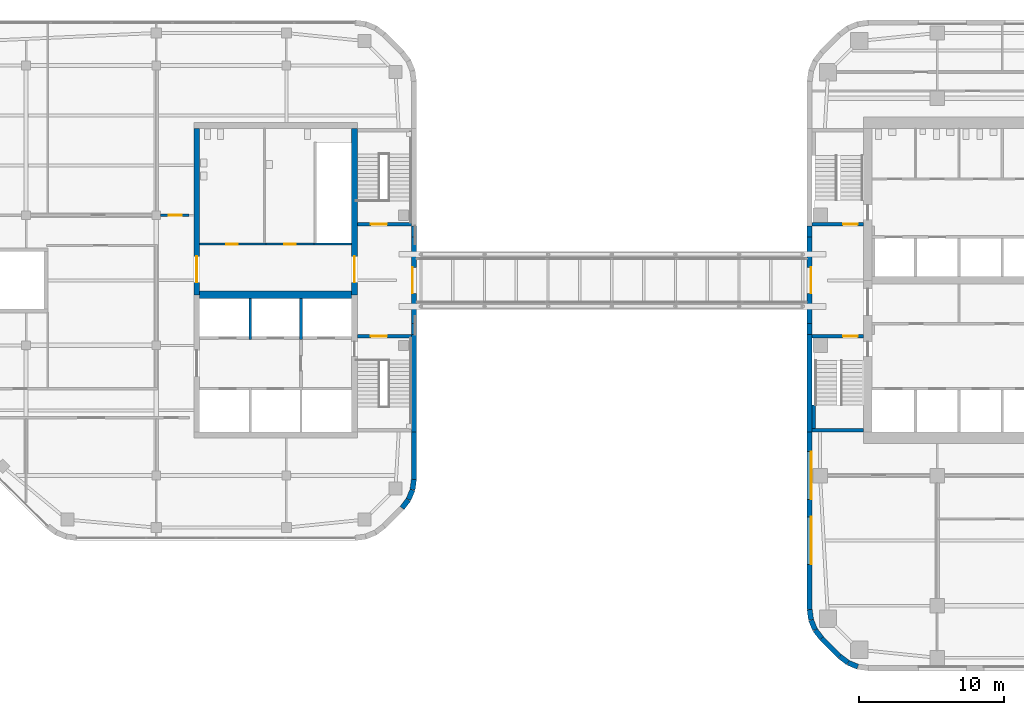
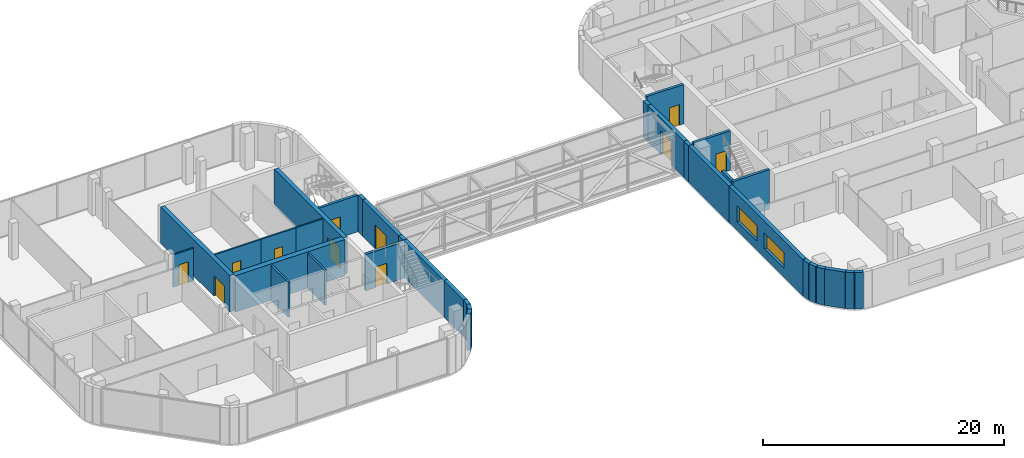
# One storey, part 12 of 21: 34 walls, 11 doors, 2 windows, 13 openings.
"""IFC4 building model written with IfcOpenShell, lengths in metres."""

from ifc_helpers import new_model, si_unit, direction, frame, frame_2d, origin, place, context, subcontext, project, spatial, rectangle, extrude, material, layer, layer_set, type_object, element, fill, save


model = new_model("IFC4")

# Units and contexts
model_context = context("Model", 3, precision=1e-05, world=origin(), true_north=direction((0.0, 1.0)))
body_context = subcontext(model_context, "Body", "Model", "MODEL_VIEW")
ifc_project = project(units=[si_unit("LENGTHUNIT", "METRE"), si_unit("AREAUNIT", "SQUARE_METRE"), si_unit("VOLUMEUNIT", "CUBIC_METRE"), si_unit("PLANEANGLEUNIT", "RADIAN"), si_unit("MASSUNIT", "GRAM", prefix="KILO")], contexts=[model_context])

# Site, building, storey
site_placement = place(None, origin())
site = spatial("IfcSite", under=ifc_project, at=site_placement, CompositionType="ELEMENT")
building_placement = place(site_placement, origin())
building = spatial("IfcBuilding", under=site, at=building_placement, Name="Cinnabar Reach Civic Tower", CompositionType="ELEMENT")
storey_placement = place(building_placement, frame((0.0, 0.0, 140.0)))
storey = spatial("IfcBuildingStorey", under=building, at=storey_placement, Name="L33", CompositionType="ELEMENT", Elevation=140.0)

# Walls
ifc_material_1 = material(Name="Facing brick with insulated backing", Category="masonry")
ifc_layer_1 = layer(ifc_material_1, 0.36)
ifc_layer_set_1 = layer_set([ifc_layer_1], Name="Brick corner wall")
wall_type_1 = type_object("IfcWallType", Name="Brick corner wall", PredefinedType="STANDARD", material=ifc_layer_set_1)
for number, where, z_axis, x_axis, name in (
    (1, (0.183, 8.7314, 0.0), (0.0, 0.0, 1.0), (0.13055608231, -0.99144092581, 0.0), "Brick corner wall"),
    (2, (0.2819, 8.0027, 0.0), (0.0, 0.0, 1.0), (0.382702709855, -0.923871547278, 0.0), "Brick corner wall"),
):
    element("IfcWall", number, at=place(storey_placement, frame(where, z_axis=z_axis, x_axis=x_axis)), inside=storey, type_object=wall_type_1, Name=name, PredefinedType="STANDARD", context=body_context, shape_type="SweptSolid", body=[
        extrude(rectangle(XDim=0.7131, YDim=0.36, at=frame_2d((0.3565, 0.0))), origin(), (0.0, 0.0, 1.0), 3.7),
    ])
for number, where, z_axis, x_axis, name in (
    (3, (0.566, 7.3245, 0.0), (0.0, 0.0, 1.0), (0.608802368033, -0.793321924995, 0.0), "Brick corner wall"),
    (4, (2.2587, 5.5002, 0.0), (0.0, 0.0, 1.0), (0.793321924995, -0.608802368033, 0.0), "Brick corner wall"),
):
    element("IfcWall", number, at=place(storey_placement, frame(where, z_axis=z_axis, x_axis=x_axis)), inside=storey, type_object=wall_type_1, Name=name, PredefinedType="STANDARD", context=body_context, shape_type="SweptSolid", body=[
        extrude(rectangle(XDim=0.7132, YDim=0.36, at=frame_2d((0.3566, 0.0))), origin(), (0.0, 0.0, 1.0), 3.7),
    ])
wall_1_placement = place(storey_placement, frame((2.8439, 5.0548, 0.0), z_axis=(0.0, 0.0, 1.0), x_axis=(0.923871547278, -0.382702709855, 0.0)))
element("IfcWall", 5, at=wall_1_placement, inside=storey, type_object=wall_type_1, Name="Brick corner wall", PredefinedType="STANDARD", context=body_context, shape_type="SweptSolid", body=[
    extrude(rectangle(XDim=0.7131, YDim=0.36, at=frame_2d((0.3565, 0.0))), origin(), (0.0, 0.0, 1.0), 3.7),
])
wall_2_placement = place(storey_placement, frame((-28.0002, 15.7587, 0.0), z_axis=(0.0, 0.0, 1.0), x_axis=(0.608802368033, 0.793321924995, 0.0)))
element("IfcWall", 6, at=wall_2_placement, inside=storey, type_object=wall_type_1, Name="Brick corner wall", PredefinedType="STANDARD", context=body_context, shape_type="SweptSolid", body=[
    extrude(rectangle(XDim=0.7132, YDim=0.36, at=frame_2d((0.3566, 0.0))), origin(), (0.0, 0.0, 1.0), 3.7),
])
for number, where, z_axis, x_axis, name in (
    (7, (-27.5548, 16.3439, 0.0), (0.0, 0.0, 1.0), (0.382702709855, 0.923871547278, 0.0), "Brick corner wall"),
    (8, (-27.2761, 17.0244, 0.0), (0.0, 0.0, 1.0), (0.13055608231, 0.99144092581, 0.0), "Brick corner wall"),
):
    element("IfcWall", number, at=place(storey_placement, frame(where, z_axis=z_axis, x_axis=x_axis)), inside=storey, type_object=wall_type_1, Name=name, PredefinedType="STANDARD", context=body_context, shape_type="SweptSolid", body=[
        extrude(rectangle(XDim=0.7131, YDim=0.36, at=frame_2d((0.3565, 0.0))), origin(), (0.0, 0.0, 1.0), 3.7),
    ])
ifc_layer_2 = layer(ifc_material_1, 0.36)
ifc_layer_set_2 = layer_set([ifc_layer_2], Name="Brick pier and spandrel wall")
wall_type_2 = type_object("IfcWallType", Name="Brick pier and spandrel wall", PredefinedType="STANDARD", material=ifc_layer_set_2)
wall_3_placement = place(storey_placement, frame((0.18, 35.25, 0.0), z_axis=(0.0, 0.0, 1.0), x_axis=(0.0, -1.0, 0.0)))
element("IfcWall", 9, at=wall_3_placement, inside=storey, type_object=wall_type_2, Name="Brick facade wall", PredefinedType="STANDARD", context=body_context, shape_type="SweptSolid", body=[
    extrude(rectangle(XDim=0.75, YDim=0.36, at=frame_2d((0.375, 0.0))), origin(), (0.0, 0.0, 1.0), 3.7),
])

# Wall, opening, door
wall_4_placement = place(storey_placement, frame((0.18, 34.5, 0.0), z_axis=(0.0, 0.0, 1.0), x_axis=(0.0, -1.0, 0.0)))
wall_4 = element("IfcWall", 10, at=wall_4_placement, inside=storey, type_object=wall_type_2, Name="Brick facade wall", PredefinedType="STANDARD", context=body_context, shape_type="SweptSolid", body=[
    extrude(rectangle(XDim=6.0, YDim=0.36, at=frame_2d((3.0, 0.0))), origin(), (0.0, 0.0, 1.0), 3.7),
])
opening_1_placement = place(wall_4_placement, frame((2.1, 0.0, 0.0)))
opening_1 = element("IfcOpeningElement", 11, at=opening_1_placement, cuts=wall_4, Name="Opening D7506", PredefinedType="OPENING", context=body_context, shape_type="SweptSolid", body=[
    extrude(rectangle(XDim=1.8, YDim=2.4, at=frame_2d((0.9, 1.2))), frame((0.0, 0.19, 0.0), z_axis=(0.0, -1.0, 0.0), x_axis=(1.0, 0.0, 0.0)), (0.0, 0.0, 1.0), 0.38),
])
ifc_material_2 = material(Name="Steel fire door with glazed vision panel", Category="steel")
door_type_1 = type_object("IfcDoorType", Name="Facade bridge landing fire door", OperationType="SINGLE_SWING_LEFT", PredefinedType="DOOR", material=ifc_material_2)
door_1_placement = place(opening_1_placement, frame((1.8, 0.0, 0.0), z_axis=(0.0, 0.0, 1.0), x_axis=(-1.0, 0.0, 0.0)))
door_1 = element("IfcDoor", 12, at=door_1_placement, inside=storey, type_object=door_type_1, Name="Bridge landing fire door", OperationType="DOUBLE_DOOR_SINGLE_SWING", OverallHeight=2.4, OverallWidth=1.8, PredefinedType="DOOR", context=body_context, shape_type="SweptSolid", body=[
    extrude(rectangle(XDim=1.8, YDim=2.4, at=frame_2d((0.9, 1.2))), frame((0.0, -0.07, 0.0), z_axis=(0.0, -1.0, 0.0), x_axis=(1.0, 0.0, 0.0)), (0.0, 0.0, 1.0), 0.05),
])
fill(opening_1, door_1)

# Walls
wall_5_placement = place(storey_placement, frame((0.18, 28.5, 0.0), z_axis=(0.0, 0.0, 1.0), x_axis=(0.0, -1.0, 0.0)))
element("IfcWall", 13, at=wall_5_placement, inside=storey, type_object=wall_type_2, Name="Brick facade wall", PredefinedType="STANDARD", context=body_context, shape_type="SweptSolid", body=[
    extrude(rectangle(XDim=0.75, YDim=0.36, at=frame_2d((0.375, 0.0))), origin(), (0.0, 0.0, 1.0), 3.7),
])
wall_6_placement = place(storey_placement, frame((0.18, 27.75, 0.0), z_axis=(0.0, 0.0, 1.0), x_axis=(0.0, -1.0, 0.0)))
element("IfcWall", 14, at=wall_6_placement, inside=storey, type_object=wall_type_2, Name="Brick facade wall", PredefinedType="STANDARD", context=body_context, shape_type="SweptSolid", body=[
    extrude(rectangle(XDim=6.75, YDim=0.36, at=frame_2d((3.375, 0.0))), origin(), (0.0, 0.0, 1.0), 3.7),
])

# Wall, openings, windows
wall_7_placement = place(storey_placement, frame((0.18, 21.0, 0.0), z_axis=(0.0, 0.0, 1.0), x_axis=(0.0, -1.0, 0.0)))
wall_7 = element("IfcWall", 15, at=wall_7_placement, inside=storey, type_object=wall_type_2, Name="Brick facade wall", PredefinedType="STANDARD", context=body_context, shape_type="SweptSolid", body=[
    extrude(rectangle(XDim=12.2574, YDim=0.36, at=frame_2d((6.1287, 0.0))), origin(), (0.0, 0.0, 1.0), 3.7),
])
opening_2_placement = place(wall_7_placement, frame((1.35, 0.0, 0.9)))
opening_2 = element("IfcOpeningElement", 16, at=opening_2_placement, cuts=wall_7, Name="Opening W1719", PredefinedType="OPENING", context=body_context, shape_type="SweptSolid", body=[
    extrude(rectangle(XDim=3.3, YDim=1.6, at=frame_2d((1.65, 0.8))), frame((0.0, 0.19, 0.0), z_axis=(0.0, -1.0, 0.0), x_axis=(1.0, 0.0, 0.0)), (0.0, 0.0, 1.0), 0.38),
])
opening_3_placement = place(wall_7_placement, frame((5.85, 0.0, 0.9)))
opening_3 = element("IfcOpeningElement", 17, at=opening_3_placement, cuts=wall_7, Name="Opening W1720", PredefinedType="OPENING", context=body_context, shape_type="SweptSolid", body=[
    extrude(rectangle(XDim=3.3, YDim=1.6, at=frame_2d((1.65, 0.8))), frame((0.0, 0.19, 0.0), z_axis=(0.0, -1.0, 0.0), x_axis=(1.0, 0.0, 0.0)), (0.0, 0.0, 1.0), 0.38),
])
ifc_material_3 = material(Name="Clear double glazing in aluminium frame", Category="aluminium")
window_type = type_object("IfcWindowType", Name="Deep-set window A", PartitioningType="SINGLE_PANEL", PredefinedType="WINDOW", material=ifc_material_3)
window_1_placement = place(opening_2_placement, origin())
window_1 = element("IfcWindow", 18, at=window_1_placement, inside=storey, type_object=window_type, Name="Window west face", OverallHeight=1.6, OverallWidth=3.3, PartitioningType="SINGLE_PANEL", PredefinedType="WINDOW", context=body_context, shape_type="SweptSolid", body=[
    extrude(rectangle(XDim=3.3, YDim=1.6, at=frame_2d((1.65, 0.8))), frame((0.0, 0.13, 0.0), z_axis=(0.0, -1.0, 0.0), x_axis=(1.0, 0.0, 0.0)), (0.0, 0.0, 1.0), 0.06),
])
fill(opening_2, window_1)
window_2_placement = place(opening_3_placement, origin())
window_2 = element("IfcWindow", 19, at=window_2_placement, inside=storey, type_object=window_type, Name="Window west face", OverallHeight=1.6, OverallWidth=3.3, PartitioningType="SINGLE_PANEL", PredefinedType="WINDOW", context=body_context, shape_type="SweptSolid", body=[
    extrude(rectangle(XDim=3.3, YDim=1.6, at=frame_2d((1.65, 0.8))), frame((0.0, 0.13, 0.0), z_axis=(0.0, -1.0, 0.0), x_axis=(1.0, 0.0, 0.0)), (0.0, 0.0, 1.0), 0.06),
])
fill(opening_3, window_2)

# Walls
wall_8_placement = place(storey_placement, frame((1.006, 6.7486, 0.0), z_axis=(0.0, 0.0, 1.0), x_axis=(0.707106781187, -0.707106781187, 0.0)))
element("IfcWall", 20, at=wall_8_placement, inside=storey, type_object=wall_type_2, Name="Brick facade wall", PredefinedType="STANDARD", context=body_context, shape_type="SweptSolid", body=[
    extrude(rectangle(XDim=1.7573, YDim=0.36, at=frame_2d((0.8787, 0.0))), origin(), (0.0, 0.0, 1.0), 3.7),
])
wall_9_placement = place(storey_placement, frame((-27.18, 17.7426, 0.0), z_axis=(0.0, 0.0, 1.0), x_axis=(0.0, 1.0, 0.0)))
element("IfcWall", 21, at=wall_9_placement, inside=storey, type_object=wall_type_2, Name="Brick facade wall", PredefinedType="STANDARD", context=body_context, shape_type="SweptSolid", body=[
    extrude(rectangle(XDim=3.2574, YDim=0.36, at=frame_2d((1.6287, 0.0))), origin(), (0.0, 0.0, 1.0), 3.7),
])
wall_10_placement = place(storey_placement, frame((-27.18, 21.0, 0.0), z_axis=(0.0, 0.0, 1.0), x_axis=(0.0, 1.0, 0.0)))
element("IfcWall", 22, at=wall_10_placement, inside=storey, type_object=wall_type_2, Name="Brick facade wall", PredefinedType="STANDARD", context=body_context, shape_type="SweptSolid", body=[
    extrude(rectangle(XDim=6.75, YDim=0.36, at=frame_2d((3.375, 0.0))), origin(), (0.0, 0.0, 1.0), 3.7),
])
wall_11_placement = place(storey_placement, frame((-27.18, 27.75, 0.0), z_axis=(0.0, 0.0, 1.0), x_axis=(0.0, 1.0, 0.0)))
element("IfcWall", 23, at=wall_11_placement, inside=storey, type_object=wall_type_2, Name="Brick facade wall", PredefinedType="STANDARD", context=body_context, shape_type="SweptSolid", body=[
    extrude(rectangle(XDim=0.75, YDim=0.36, at=frame_2d((0.375, 0.0))), origin(), (0.0, 0.0, 1.0), 3.7),
])

# Wall, opening, door
wall_12_placement = place(storey_placement, frame((-27.18, 28.5, 0.0), z_axis=(0.0, 0.0, 1.0), x_axis=(0.0, 1.0, 0.0)))
wall_12 = element("IfcWall", 24, at=wall_12_placement, inside=storey, type_object=wall_type_2, Name="Brick facade wall", PredefinedType="STANDARD", context=body_context, shape_type="SweptSolid", body=[
    extrude(rectangle(XDim=6.0, YDim=0.36, at=frame_2d((3.0, 0.0))), origin(), (0.0, 0.0, 1.0), 3.7),
])
opening_4_placement = place(wall_12_placement, frame((2.1, 0.0, 0.0)))
opening_4 = element("IfcOpeningElement", 25, at=opening_4_placement, cuts=wall_12, Name="Opening D7520", PredefinedType="OPENING", context=body_context, shape_type="SweptSolid", body=[
    extrude(rectangle(XDim=1.8, YDim=2.4, at=frame_2d((0.9, 1.2))), frame((0.0, 0.19, 0.0), z_axis=(0.0, -1.0, 0.0), x_axis=(1.0, 0.0, 0.0)), (0.0, 0.0, 1.0), 0.38),
])
door_2_placement = place(opening_4_placement, frame((1.8, 0.0, 0.0), z_axis=(0.0, 0.0, 1.0), x_axis=(-1.0, 0.0, 0.0)))
door_2 = element("IfcDoor", 26, at=door_2_placement, inside=storey, type_object=door_type_1, Name="Bridge landing fire door", OperationType="DOUBLE_DOOR_SINGLE_SWING", OverallHeight=2.4, OverallWidth=1.8, PredefinedType="DOOR", context=body_context, shape_type="SweptSolid", body=[
    extrude(rectangle(XDim=1.8, YDim=2.4, at=frame_2d((0.9, 1.2))), frame((0.0, -0.07, 0.0), z_axis=(0.0, -1.0, 0.0), x_axis=(1.0, 0.0, 0.0)), (0.0, 0.0, 1.0), 0.05),
])
fill(opening_4, door_2)

# Wall
wall_13_placement = place(storey_placement, frame((-27.18, 34.5, 0.0), z_axis=(0.0, 0.0, 1.0), x_axis=(0.0, 1.0, 0.0)))
element("IfcWall", 27, at=wall_13_placement, inside=storey, type_object=wall_type_2, Name="Brick facade wall", PredefinedType="STANDARD", context=body_context, shape_type="SweptSolid", body=[
    extrude(rectangle(XDim=0.75, YDim=0.36, at=frame_2d((0.375, 0.0))), origin(), (0.0, 0.0, 1.0), 3.7),
])

# Wall, opening, door
ifc_material_4 = material(Name="Concrete C60", Category="concrete")
ifc_layer_3 = layer(ifc_material_4, 0.4)
ifc_layer_set_3 = layer_set([ifc_layer_3], Name="Core wall 400 EI 180")
wall_type_3 = type_object("IfcWallType", Name="Core wall 400 EI 180", PredefinedType="SOLIDWALL", material=ifc_layer_set_3)
wall_14_placement = place(storey_placement, frame((-31.3, 30.5, 0.0), z_axis=(0.0, 0.0, 1.0), x_axis=(0.0, 1.0, 0.0)))
wall_14 = element("IfcWall", 28, at=wall_14_placement, inside=storey, type_object=wall_type_3, Name="Core wall T2 L33 E2", PredefinedType="SOLIDWALL", context=body_context, shape_type="SweptSolid", body=[
    extrude(rectangle(XDim=11.5, YDim=0.4, at=frame_2d((5.75, 0.0))), origin(), (0.0, 0.0, 1.0), 3.7),
])
opening_5_placement = place(wall_14_placement, frame((0.85, 0.0, 0.0)))
opening_5 = element("IfcOpeningElement", 29, at=opening_5_placement, cuts=wall_14, Name="Opening D7174", PredefinedType="OPENING", context=body_context, shape_type="SweptSolid", body=[
    extrude(rectangle(XDim=1.8, YDim=2.1, at=frame_2d((0.9, 1.05))), frame((0.0, 0.21, 0.0), z_axis=(0.0, -1.0, 0.0), x_axis=(1.0, 0.0, 0.0)), (0.0, 0.0, 1.0), 0.42),
])
ifc_material_5 = material(Name="Steel fire door", Category="steel")
door_type_2 = type_object("IfcDoorType", Name="T2 Double door 1800", OperationType="DOUBLE_DOOR_SINGLE_SWING", PredefinedType="DOOR", material=ifc_material_5)
door_3_placement = place(opening_5_placement, frame((1.8, 0.0, 0.0), z_axis=(0.0, 0.0, 1.0), x_axis=(-1.0, 0.0, 0.0)))
door_3 = element("IfcDoor", 30, at=door_3_placement, inside=storey, type_object=door_type_2, Name="T2 Double door D7174", OperationType="DOUBLE_DOOR_SINGLE_SWING", OverallHeight=2.1, OverallWidth=1.8, PredefinedType="DOOR", context=body_context, shape_type="SweptSolid", body=[
    extrude(rectangle(XDim=1.8, YDim=2.1, at=frame_2d((0.9, 1.05))), frame((0.0, 0.025, 0.0), z_axis=(0.0, -1.0, 0.0), x_axis=(1.0, 0.0, 0.0)), (0.0, 0.0, 1.0), 0.05),
])
fill(opening_5, door_3)

wall_15_placement = place(storey_placement, frame((-42.2, 42.0, 0.0), z_axis=(0.0, 0.0, 1.0), x_axis=(0.0, -1.0, 0.0)))
wall_15 = element("IfcWall", 31, at=wall_15_placement, inside=storey, type_object=wall_type_3, Name="Core wall T2 L33 W", PredefinedType="SOLIDWALL", context=body_context, shape_type="SweptSolid", body=[
    extrude(rectangle(XDim=11.5, YDim=0.4, at=frame_2d((5.75, 0.0))), origin(), (0.0, 0.0, 1.0), 3.7),
])
opening_6_placement = place(wall_15_placement, frame((8.85, 0.0, 0.0)))
opening_6 = element("IfcOpeningElement", 32, at=opening_6_placement, cuts=wall_15, Name="Opening D7176", PredefinedType="OPENING", context=body_context, shape_type="SweptSolid", body=[
    extrude(rectangle(XDim=1.8, YDim=2.1, at=frame_2d((0.9, 1.05))), frame((0.0, 0.21, 0.0), z_axis=(0.0, -1.0, 0.0), x_axis=(1.0, 0.0, 0.0)), (0.0, 0.0, 1.0), 0.42),
])
door_4_placement = place(opening_6_placement, frame((1.8, 0.0, 0.0), z_axis=(0.0, 0.0, 1.0), x_axis=(-1.0, 0.0, 0.0)))
door_4 = element("IfcDoor", 33, at=door_4_placement, inside=storey, type_object=door_type_2, Name="T2 Double door D7176", OperationType="DOUBLE_DOOR_SINGLE_SWING", OverallHeight=2.1, OverallWidth=1.8, PredefinedType="DOOR", context=body_context, shape_type="SweptSolid", body=[
    extrude(rectangle(XDim=1.8, YDim=2.1, at=frame_2d((0.9, 1.05))), frame((0.0, 0.025, 0.0), z_axis=(0.0, -1.0, 0.0), x_axis=(1.0, 0.0, 0.0)), (0.0, 0.0, 1.0), 0.05),
])
fill(opening_6, door_4)

# Wall
ifc_layer_4 = layer(ifc_material_4, 0.5)
ifc_layer_set_4 = layer_set([ifc_layer_4], Name="Core wall 500 EI 180")
wall_type_4 = type_object("IfcWallType", Name="Core wall 500 EI 180", PredefinedType="SOLIDWALL", material=ifc_layer_set_4)
wall_16_placement = place(storey_placement, frame((-42.0, 30.5, 0.0), z_axis=(0.0, 0.0, 1.0), x_axis=(1.0, 0.0, 0.0)))
element("IfcWall", 34, at=wall_16_placement, inside=storey, type_object=wall_type_4, Name="Core spine wall T2 L33", PredefinedType="SOLIDWALL", context=body_context, shape_type="SweptSolid", body=[
    extrude(rectangle(XDim=10.5, YDim=0.5, at=frame_2d((5.25, 0.0))), origin(), (0.0, 0.0, 1.0), 3.7),
])

# Wall, opening, door
ifc_material_6 = material(Name="Gypsum board on steel studs, double layer", Category="steel")
ifc_layer_5 = layer(ifc_material_6, 0.15)
ifc_layer_set_5 = layer_set([ifc_layer_5], Name="Corridor wall 150 T2")
wall_type_5 = type_object("IfcWallType", Name="Corridor wall 150 T2", PredefinedType="PARTITIONING", material=ifc_layer_set_5)
wall_17_placement = place(storey_placement, frame((-44.7, 36.0, 0.0), z_axis=(0.0, 0.0, 1.0), x_axis=(1.0, 0.0, 0.0)))
wall_17 = element("IfcWall", 35, at=wall_17_placement, inside=storey, type_object=wall_type_5, Name="Corridor wall 1", PredefinedType="PARTITIONING", context=body_context, shape_type="SweptSolid", body=[
    extrude(rectangle(XDim=1.975, YDim=0.15, at=frame_2d((0.9875, 0.0))), origin(), (0.0, 0.0, 1.0), 3.302),
])
opening_7_placement = place(wall_17_placement, frame((0.55, 0.0, 0.0)))
opening_7 = element("IfcOpeningElement", 36, at=opening_7_placement, cuts=wall_17, Name="Opening D7179", PredefinedType="OPENING", context=body_context, shape_type="SweptSolid", body=[
    extrude(rectangle(XDim=0.9, YDim=2.1, at=frame_2d((0.45, 1.05))), frame((0.0, 0.085, 0.0), z_axis=(0.0, -1.0, 0.0), x_axis=(1.0, 0.0, 0.0)), (0.0, 0.0, 1.0), 0.17),
])
ifc_material_7 = material(Name="Timber door leaf in steel frame", Category="steel")
door_type_3 = type_object("IfcDoorType", Name="Single swing door 900 x 2100 T2", OperationType="SINGLE_SWING_LEFT", PredefinedType="DOOR", material=ifc_material_7)
door_5_placement = place(opening_7_placement, origin())
door_5 = element("IfcDoor", 37, at=door_5_placement, inside=storey, type_object=door_type_3, Name="Door D7179", OperationType="SINGLE_SWING_LEFT", OverallHeight=2.1, OverallWidth=0.9, PredefinedType="DOOR", context=body_context, shape_type="SweptSolid", body=[
    extrude(rectangle(XDim=0.9, YDim=2.1, at=frame_2d((0.45, 1.05))), frame((0.0, 0.025, 0.0), z_axis=(0.0, -1.0, 0.0), x_axis=(1.0, 0.0, 0.0)), (0.0, 0.0, 1.0), 0.05),
])
fill(opening_7, door_5)

# Wall
ifc_layer_6 = layer(ifc_material_4, 0.25)
ifc_layer_set_6 = layer_set([ifc_layer_6], Name="Stair shaft wall 250 EI 120")
wall_type_6 = type_object("IfcWallType", Name="Stair shaft wall 250 EI 120", PredefinedType="SOLIDWALL", material=ifc_layer_set_6)
wall_18_placement = place(storey_placement, frame((0.36, 21.125, 0.0), z_axis=(0.0, 0.0, 1.0), x_axis=(1.0, 0.0, 0.0)))
element("IfcWall", 38, at=wall_18_placement, inside=storey, type_object=wall_type_6, Name="Stair shaft wall T1-S1 L33", PredefinedType="SOLIDWALL", context=body_context, shape_type="SweptSolid", body=[
    extrude(rectangle(XDim=3.54, YDim=0.25, at=frame_2d((1.77, 0.0))), origin(), (0.0, 0.0, 1.0), 4.0),
])

# Wall, opening, door
wall_19_placement = place(storey_placement, frame((3.9, 27.625, 0.0), z_axis=(0.0, 0.0, 1.0), x_axis=(-1.0, 0.0, 0.0)))
wall_19 = element("IfcWall", 39, at=wall_19_placement, inside=storey, type_object=wall_type_6, Name="Stair shaft wall T1-S1 L33", PredefinedType="SOLIDWALL", context=body_context, shape_type="SweptSolid", body=[
    extrude(rectangle(XDim=3.54, YDim=0.25, at=frame_2d((1.77, 0.0))), origin(), (0.0, 0.0, 1.0), 4.0),
])
opening_8_placement = place(wall_19_placement, frame((0.4, 0.0, 0.0)))
opening_8 = element("IfcOpeningElement", 40, at=opening_8_placement, cuts=wall_19, Name="Opening D4332", PredefinedType="OPENING", context=body_context, shape_type="SweptSolid", body=[
    extrude(rectangle(XDim=1.0, YDim=2.1, at=frame_2d((0.5, 1.05))), frame((0.0, 0.135, 0.0), z_axis=(0.0, -1.0, 0.0), x_axis=(1.0, 0.0, 0.0)), (0.0, 0.0, 1.0), 0.27),
])
door_type_4 = type_object("IfcDoorType", Name="Stair door 1000 x 2100 T1", OperationType="SINGLE_SWING_LEFT", PredefinedType="DOOR", material=ifc_material_7)
door_6_placement = place(opening_8_placement, origin())
door_6 = element("IfcDoor", 41, at=door_6_placement, inside=storey, type_object=door_type_4, Name="Door D4332", OperationType="SINGLE_SWING_LEFT", OverallHeight=2.1, OverallWidth=1.0, PredefinedType="DOOR", context=body_context, shape_type="SweptSolid", body=[
    extrude(rectangle(XDim=1.0, YDim=2.1, at=frame_2d((0.5, 1.05))), frame((0.0, 0.025, 0.0), z_axis=(0.0, -1.0, 0.0), x_axis=(1.0, 0.0, 0.0)), (0.0, 0.0, 1.0), 0.05),
])
fill(opening_8, door_6)

wall_20_placement = place(storey_placement, frame((0.36, 35.375, 0.0), z_axis=(0.0, 0.0, 1.0), x_axis=(1.0, 0.0, 0.0)))
wall_20 = element("IfcWall", 42, at=wall_20_placement, inside=storey, type_object=wall_type_6, Name="Stair shaft wall T1-S2 L33", PredefinedType="SOLIDWALL", context=body_context, shape_type="SweptSolid", body=[
    extrude(rectangle(XDim=3.54, YDim=0.25, at=frame_2d((1.77, 0.0))), origin(), (0.0, 0.0, 1.0), 4.0),
])
opening_9_placement = place(wall_20_placement, frame((2.14, 0.0, 0.0)))
opening_9 = element("IfcOpeningElement", 43, at=opening_9_placement, cuts=wall_20, Name="Opening D4334", PredefinedType="OPENING", context=body_context, shape_type="SweptSolid", body=[
    extrude(rectangle(XDim=1.0, YDim=2.1, at=frame_2d((0.5, 1.05))), frame((0.0, 0.135, 0.0), z_axis=(0.0, -1.0, 0.0), x_axis=(1.0, 0.0, 0.0)), (0.0, 0.0, 1.0), 0.27),
])
door_7_placement = place(opening_9_placement, origin())
door_7 = element("IfcDoor", 44, at=door_7_placement, inside=storey, type_object=door_type_4, Name="Door D4334", OperationType="SINGLE_SWING_RIGHT", OverallHeight=2.1, OverallWidth=1.0, PredefinedType="DOOR", context=body_context, shape_type="SweptSolid", body=[
    extrude(rectangle(XDim=1.0, YDim=2.1, at=frame_2d((0.5, 1.05))), frame((0.0, 0.025, 0.0), z_axis=(0.0, -1.0, 0.0), x_axis=(1.0, 0.0, 0.0)), (0.0, 0.0, 1.0), 0.05),
])
fill(opening_9, door_7)

wall_21_placement = place(storey_placement, frame((-27.36, 27.625, 0.0), z_axis=(0.0, 0.0, 1.0), x_axis=(-1.0, 0.0, 0.0)))
wall_21 = element("IfcWall", 45, at=wall_21_placement, inside=storey, type_object=wall_type_6, Name="Stair shaft wall T2-S1 L33", PredefinedType="SOLIDWALL", context=body_context, shape_type="SweptSolid", body=[
    extrude(rectangle(XDim=3.74, YDim=0.25, at=frame_2d((1.87, 0.0))), origin(), (0.0, 0.0, 1.0), 3.7),
])
opening_10_placement = place(wall_21_placement, frame((1.69, 0.0, 0.0)))
opening_10 = element("IfcOpeningElement", 46, at=opening_10_placement, cuts=wall_21, Name="Opening D7172", PredefinedType="OPENING", context=body_context, shape_type="SweptSolid", body=[
    extrude(rectangle(XDim=1.1, YDim=2.1, at=frame_2d((0.55, 1.05))), frame((0.0, 0.135, 0.0), z_axis=(0.0, -1.0, 0.0), x_axis=(1.0, 0.0, 0.0)), (0.0, 0.0, 1.0), 0.27),
])
door_type_5 = type_object("IfcDoorType", Name="T2 Stair door 1100", OperationType="SINGLE_SWING_LEFT", PredefinedType="DOOR", material=ifc_material_5)
door_8_placement = place(opening_10_placement, origin())
door_8 = element("IfcDoor", 47, at=door_8_placement, inside=storey, type_object=door_type_5, Name="T2 Stair door D7172", OperationType="SINGLE_SWING_RIGHT", OverallHeight=2.1, OverallWidth=1.1, PredefinedType="DOOR", context=body_context, shape_type="SweptSolid", body=[
    extrude(rectangle(XDim=1.1, YDim=2.1, at=frame_2d((0.55, 1.05))), frame((0.0, 0.025, 0.0), z_axis=(0.0, -1.0, 0.0), x_axis=(1.0, 0.0, 0.0)), (0.0, 0.0, 1.0), 0.05),
])
fill(opening_10, door_8)

wall_22_placement = place(storey_placement, frame((-31.1, 35.375, 0.0), z_axis=(0.0, 0.0, 1.0), x_axis=(1.0, 0.0, 0.0)))
wall_22 = element("IfcWall", 48, at=wall_22_placement, inside=storey, type_object=wall_type_6, Name="Stair shaft wall T2-S2 L33", PredefinedType="SOLIDWALL", context=body_context, shape_type="SweptSolid", body=[
    extrude(rectangle(XDim=3.74, YDim=0.25, at=frame_2d((1.87, 0.0))), origin(), (0.0, 0.0, 1.0), 3.7),
])
opening_11_placement = place(wall_22_placement, frame((0.95, 0.0, 0.0)))
opening_11 = element("IfcOpeningElement", 49, at=opening_11_placement, cuts=wall_22, Name="Opening D7173", PredefinedType="OPENING", context=body_context, shape_type="SweptSolid", body=[
    extrude(rectangle(XDim=1.1, YDim=2.1, at=frame_2d((0.55, 1.05))), frame((0.0, 0.135, 0.0), z_axis=(0.0, -1.0, 0.0), x_axis=(1.0, 0.0, 0.0)), (0.0, 0.0, 1.0), 0.27),
])
door_9_placement = place(opening_11_placement, origin())
door_9 = element("IfcDoor", 50, at=door_9_placement, inside=storey, type_object=door_type_5, Name="T2 Stair door D7173", OperationType="SINGLE_SWING_RIGHT", OverallHeight=2.1, OverallWidth=1.1, PredefinedType="DOOR", context=body_context, shape_type="SweptSolid", body=[
    extrude(rectangle(XDim=1.1, YDim=2.1, at=frame_2d((0.55, 1.05))), frame((0.0, 0.025, 0.0), z_axis=(0.0, -1.0, 0.0), x_axis=(1.0, 0.0, 0.0)), (0.0, 0.0, 1.0), 0.05),
])
fill(opening_11, door_9)

# Wall
ifc_material_8 = material(Name="Concrete C40/50", Category="concrete")
ifc_layer_7 = layer(ifc_material_8, 0.24)
ifc_layer_set_7 = layer_set([ifc_layer_7], Name="T1 landing bearer wall 240")
wall_type_7 = type_object("IfcWallType", Name="T1 landing bearer wall 240", PredefinedType="STANDARD", material=ifc_layer_set_7)
wall_23_placement = place(storey_placement, frame((0.48, 21.25, 0.0), z_axis=(0.0, 0.0, 1.0), x_axis=(0.0, 1.0, 0.0)))
element("IfcWall", 51, at=wall_23_placement, inside=storey, type_object=wall_type_7, Name="T1-S1 landing bearer wall", PredefinedType="STANDARD", context=body_context, shape_type="SweptSolid", body=[
    extrude(rectangle(XDim=1.62, YDim=0.24, at=frame_2d((0.81, 0.0))), origin(), (0.0, 0.0, 1.0), 4.0),
])

# Wall, opening, door
ifc_material_9 = material(Name="Masonry block partition", Category="masonry")
ifc_layer_8 = layer(ifc_material_9, 0.15)
ifc_layer_set_8 = layer_set([ifc_layer_8], Name="T2 Corridor wall 150")
wall_type_8 = type_object("IfcWallType", Name="T2 Corridor wall 150", PredefinedType="PARTITIONING", material=ifc_layer_set_8)
wall_24_placement = place(storey_placement, frame((-37.425, 34.0, 0.0), z_axis=(0.0, 0.0, 1.0), x_axis=(-1.0, 0.0, 0.0)))
wall_24 = element("IfcWall", 52, at=wall_24_placement, inside=storey, type_object=wall_type_8, Name="T2 Corridor wall L33 014", PredefinedType="PARTITIONING", context=body_context, shape_type="SweptSolid", body=[
    extrude(rectangle(XDim=4.575, YDim=0.15, at=frame_2d((2.2875, 0.0))), origin(), (0.0, 0.0, 1.0), 3.55),
])
opening_12_placement = place(wall_24_placement, frame((1.925, 0.0, 0.0)))
opening_12 = element("IfcOpeningElement", 53, at=opening_12_placement, cuts=wall_24, Name="Opening D7177", PredefinedType="OPENING", context=body_context, shape_type="SweptSolid", body=[
    extrude(rectangle(XDim=0.8, YDim=2.1, at=frame_2d((0.4, 1.05))), frame((0.0, 0.085, 0.0), z_axis=(0.0, -1.0, 0.0), x_axis=(1.0, 0.0, 0.0)), (0.0, 0.0, 1.0), 0.17),
])
ifc_material_10 = material(Name="Timber door leaf", Category="wood")
door_type_6 = type_object("IfcDoorType", Name="T2 Bathroom door 800", OperationType="SINGLE_SWING_LEFT", PredefinedType="DOOR", material=ifc_material_10)
door_10_placement = place(opening_12_placement, frame((0.8, 0.0, 0.0), z_axis=(0.0, 0.0, 1.0), x_axis=(-1.0, 0.0, 0.0)))
door_10 = element("IfcDoor", 54, at=door_10_placement, inside=storey, type_object=door_type_6, Name="T2 Bathroom door D7177", OperationType="SINGLE_SWING_RIGHT", OverallHeight=2.1, OverallWidth=0.8, PredefinedType="DOOR", context=body_context, shape_type="SweptSolid", body=[
    extrude(rectangle(XDim=0.8, YDim=2.1, at=frame_2d((0.4, 1.05))), frame((0.0, 0.025, 0.0), z_axis=(0.0, -1.0, 0.0), x_axis=(1.0, 0.0, 0.0)), (0.0, 0.0, 1.0), 0.05),
])
fill(opening_12, door_10)

wall_25_placement = place(storey_placement, frame((-34.075, 34.0, 0.0), z_axis=(0.0, 0.0, 1.0), x_axis=(-1.0, 0.0, 0.0)))
wall_25 = element("IfcWall", 55, at=wall_25_placement, inside=storey, type_object=wall_type_8, Name="T2 Corridor wall L33 015", PredefinedType="PARTITIONING", context=body_context, shape_type="SweptSolid", body=[
    extrude(rectangle(XDim=3.35, YDim=0.15, at=frame_2d((1.675, 0.0))), origin(), (0.0, 0.0, 1.0), 3.55),
])
opening_13_placement = place(wall_25_placement, frame((1.275, 0.0, 0.0)))
opening_13 = element("IfcOpeningElement", 56, at=opening_13_placement, cuts=wall_25, Name="Opening D7178", PredefinedType="OPENING", context=body_context, shape_type="SweptSolid", body=[
    extrude(rectangle(XDim=0.8, YDim=2.1, at=frame_2d((0.4, 1.05))), frame((0.0, 0.085, 0.0), z_axis=(0.0, -1.0, 0.0), x_axis=(1.0, 0.0, 0.0)), (0.0, 0.0, 1.0), 0.17),
])
door_11_placement = place(opening_13_placement, frame((0.8, 0.0, 0.0), z_axis=(0.0, 0.0, 1.0), x_axis=(-1.0, 0.0, 0.0)))
door_11 = element("IfcDoor", 57, at=door_11_placement, inside=storey, type_object=door_type_6, Name="T2 Bathroom door D7178", OperationType="SINGLE_SWING_RIGHT", OverallHeight=2.1, OverallWidth=0.8, PredefinedType="DOOR", context=body_context, shape_type="SweptSolid", body=[
    extrude(rectangle(XDim=0.8, YDim=2.1, at=frame_2d((0.4, 1.05))), frame((0.0, 0.025, 0.0), z_axis=(0.0, -1.0, 0.0), x_axis=(1.0, 0.0, 0.0)), (0.0, 0.0, 1.0), 0.05),
])
fill(opening_13, door_11)

# Walls
ifc_material_11 = material(Name="Concrete C40", Category="concrete")
ifc_layer_9 = layer(ifc_material_11, 0.15)
ifc_layer_set_9 = layer_set([ifc_layer_9], Name="T2 Riser wall 150")
wall_type_9 = type_object("IfcWallType", Name="T2 Riser wall 150", PredefinedType="SOLIDWALL", material=ifc_layer_set_9)
wall_26_placement = place(storey_placement, frame((-34.075, 34.0, 0.0), z_axis=(0.0, 0.0, 1.0), x_axis=(1.0, 0.0, 0.0)))
element("IfcWall", 58, at=wall_26_placement, inside=storey, type_object=wall_type_9, Name="T2 Riser wall L33 012", PredefinedType="SOLIDWALL", context=body_context, shape_type="SweptSolid", body=[
    extrude(rectangle(XDim=2.575, YDim=0.15, at=frame_2d((1.2875, 0.0))), origin(), (0.0, 0.0, 1.0), 3.55),
])
ifc_layer_10 = layer(ifc_material_11, 0.2)
ifc_layer_set_10 = layer_set([ifc_layer_10], Name="T2 Shaft wall 200")
wall_type_10 = type_object("IfcWallType", Name="T2 Shaft wall 200", PredefinedType="SOLIDWALL", material=ifc_layer_set_10)
for number, where, z_axis, x_axis, name in (
    (59, (-38.5, 27.4, 0.0), (0.0, 0.0, 1.0), (0.0, 1.0, 0.0), "T2 Shaft wall L33 004"),
    (60, (-35.0, 27.4, 0.0), (0.0, 0.0, 1.0), (0.0, 1.0, 0.0), "T2 Shaft wall L33 006"),
):
    element("IfcWall", number, at=place(storey_placement, frame(where, z_axis=z_axis, x_axis=x_axis)), inside=storey, type_object=wall_type_10, Name=name, PredefinedType="SOLIDWALL", context=body_context, shape_type="SweptSolid", body=[
        extrude(rectangle(XDim=2.85, YDim=0.2, at=frame_2d((1.425, 0.0))), origin(), (0.0, 0.0, 1.0), 3.55),
    ])

save(model, "model.ifc")
